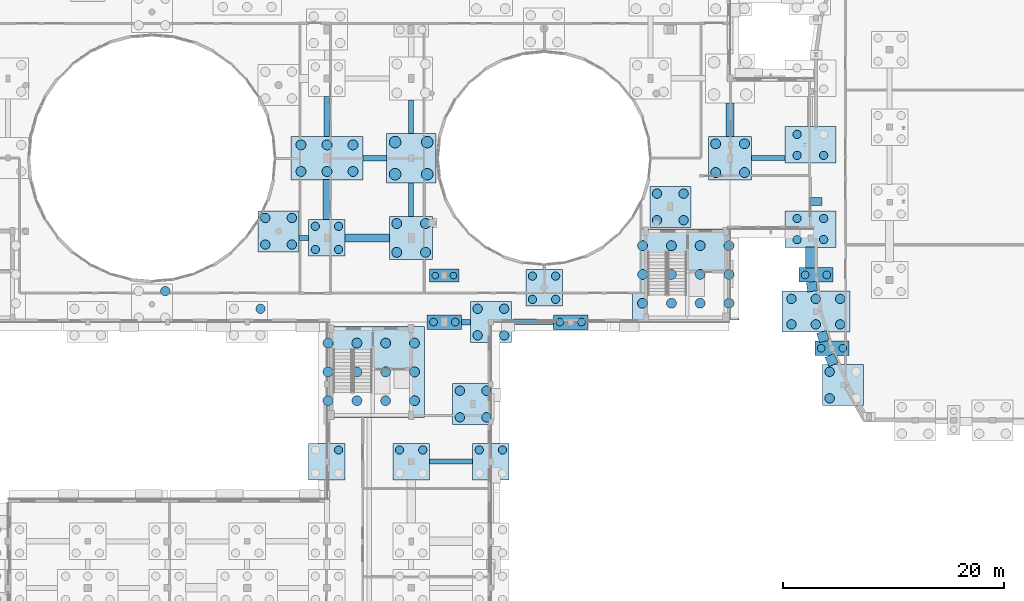
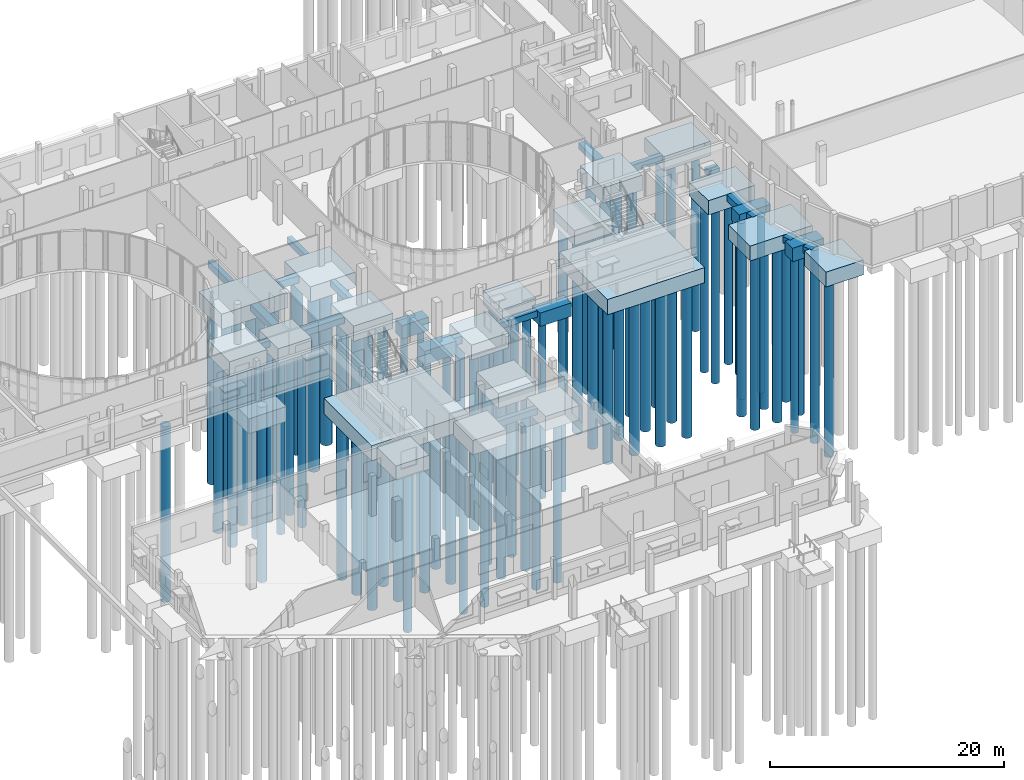
# One storey, part 5 of 93: 98 piles, 41 footings.
"""IFC4 building model written with IfcOpenShell, lengths in metres."""

from ifc_helpers import new_model, si_unit, direction, frame, origin, origin_2d, place, context, subcontext, project, spatial, rectangle, circle, extrude, material, material_profile, profile_set, type_object, element, save


model = new_model("IFC4")

# Units and contexts
model_context = context("Model", 3, precision=1e-05, world=origin(), true_north=direction((0.0, 1.0)))
body_context = subcontext(model_context, "Body", "Model", "MODEL_VIEW")
ifc_project = project(units=[si_unit("LENGTHUNIT", "METRE"), si_unit("AREAUNIT", "SQUARE_METRE"), si_unit("VOLUMEUNIT", "CUBIC_METRE"), si_unit("PLANEANGLEUNIT", "RADIAN"), si_unit("MASSUNIT", "GRAM", prefix="KILO")], contexts=[model_context])

# Site, building, storey
site_placement = place(None, origin())
site = spatial("IfcSite", under=ifc_project, at=site_placement, CompositionType="ELEMENT")
building_placement = place(site_placement, origin())
building = spatial("IfcBuilding", under=site, at=building_placement, Name="Kelanivale Promenade Academy", CompositionType="ELEMENT")
storey_placement = place(building_placement, origin())
storey = spatial("IfcBuildingStorey", under=building, at=storey_placement, Name="L00", CompositionType="ELEMENT", Elevation=0.0)

# Piles
ifc_material = material(Name="Concrete C35/45", Category="concrete")
ifc_material_profile_1 = material_profile(ifc_material, circle(Radius=0.300048828125, at=origin_2d()), Name="BORED PILE D600")
ifc_profile_set_1 = profile_set([ifc_material_profile_1], Name="Concrete C35/45")
pile_type_1 = type_object("IfcPileType", Name="BP-1 BORED PILE D600", PredefinedType="BORED", material=ifc_profile_set_1)
for number, where, z_axis, x_axis, name in (
    (1, (88.97998046875, 46.199951171875, -1.5), (0.0, 0.0, -1.0), (1.0, 0.0, 0.0), "Bored pile FC-109-BP1-P01"),
    (2, (90.6201171875, 46.199951171875, -1.5), (0.0, 0.0, -1.0), (1.0, 0.0, 0.0), "Bored pile FC-109-BP1-P02"),
):
    element("IfcPile", number, at=place(storey_placement, frame(where, z_axis=z_axis, x_axis=x_axis)), inside=storey, type_object=pile_type_1, Name=name, PredefinedType="BORED", context=body_context, shape_type="SweptSolid", body=[
        extrude(circle(Radius=0.300048828125, at=origin_2d()), origin(), (0.0, 0.0, 1.0), 18.5),
    ])
ifc_material_profile_2 = material_profile(ifc_material, circle(Radius=0.35009765625, at=origin_2d()), Name="BORED PILE D700")
ifc_profile_set_2 = profile_set([ifc_material_profile_2], Name="Concrete C35/45")
pile_type_2 = type_object("IfcPileType", Name="BP-2 BORED PILE D700", PredefinedType="BORED", material=ifc_profile_set_2)
for number, where, z_axis, x_axis, name in (
    (3, (88.820068359375, 42.0, -1.5), (0.0, 0.0, -1.0), (1.0, 0.0, 0.0), "Bored pile FC-108-BP2-P01"),
    (4, (90.780029296875, 42.0, -1.5), (0.0, 0.0, -1.0), (1.0, 0.0, 0.0), "Bored pile FC-108-BP2-P02"),
    (5, (100.219970703125, 42.0, -1.5), (0.0, 0.0, -1.0), (1.0, 0.0, 0.0), "Bored pile FC-125-BP2-P01"),
    (6, (102.179931640625, 42.0, -1.5), (0.0, 0.0, -1.0), (1.0, 0.0, 0.0), "Bored pile FC-125-BP2-P02"),
):
    element("IfcPile", number, at=place(storey_placement, frame(where, z_axis=z_axis, x_axis=x_axis)), inside=storey, type_object=pile_type_2, Name=name, PredefinedType="BORED", context=body_context, shape_type="SweptSolid", body=[
        extrude(circle(Radius=0.35009765625, at=origin_2d()), origin(), (0.0, 0.0, 1.0), 18.5),
    ])
for number, where, z_axis, x_axis, name in (
    (7, (122.3701171875, 46.257080078125, -1.550048828125), (0.0, 0.0, -1.0), (1.0, 0.0, 0.0), "Bored pile FC-145-BP2-P01"),
    (8, (124.330078125, 46.257080078125, -1.550048828125), (0.0, 0.0, -1.0), (1.0, 0.0, 0.0), "Bored pile FC-145-BP2-P02"),
    (9, (123.820068359375, 39.62890625, -1.550048828125), (0.0, 0.0, -1.0), (1.0, 0.0, 0.0), "Bored pile FC-146-BP2-P01"),
    (10, (125.780029296875, 39.62890625, -1.550048828125), (0.0, 0.0, -1.0), (1.0, 0.0, 0.0), "Bored pile FC-146-BP2-P02"),
):
    element("IfcPile", number, at=place(storey_placement, frame(where, z_axis=z_axis, x_axis=x_axis)), inside=storey, type_object=pile_type_2, Name=name, PredefinedType="BORED", context=body_context, shape_type="SweptSolid", body=[
        extrude(circle(Radius=0.35009765625, at=origin_2d()), origin(), (0.0, 0.0, 1.0), 18.449951171875),
    ])
ifc_material_profile_3 = material_profile(ifc_material, circle(Radius=0.375, at=origin_2d()), Name="BORED PILE D750")
ifc_profile_set_3 = profile_set([ifc_material_profile_3], Name="Concrete C35/45")
pile_type_3 = type_object("IfcPileType", Name="BP-3 BORED PILE D750", PredefinedType="BORED", material=ifc_profile_set_3)
for number, where, z_axis, x_axis, name in (
    (11, (121.64990234375, 49.449951171875, -1.64990234375), (0.0, 0.0, -1.0), (1.0, 0.0, 0.0), "Bored pile FC-MJ-E01-BP3-P01"),
    (12, (121.64990234375, 51.35009765625, -1.64990234375), (0.0, 0.0, -1.0), (1.0, 0.0, 0.0), "Bored pile FC-MJ-E01-BP3-P02"),
    (13, (124.050048828125, 49.449951171875, -1.64990234375), (0.0, 0.0, -1.0), (1.0, 0.0, 0.0), "Bored pile FC-MJ-E01-BP3-P03"),
    (14, (124.050048828125, 51.35009765625, -1.64990234375), (0.0, 0.0, -1.0), (1.0, 0.0, 0.0), "Bored pile FC-MJ-E01-BP3-P04"),
    (15, (121.64990234375, 57.050048828125, -1.64990234375), (0.0, 0.0, -1.0), (1.0, 0.0, 0.0), "Bored pile FC-MJ-E02-BP3-P01"),
    (16, (121.64990234375, 58.949951171875, -1.64990234375), (0.0, 0.0, -1.0), (1.0, 0.0, 0.0), "Bored pile FC-MJ-E02-BP3-P02"),
    (17, (124.050048828125, 57.050048828125, -1.64990234375), (0.0, 0.0, -1.0), (1.0, 0.0, 0.0), "Bored pile FC-MJ-E02-BP3-P03"),
):
    element("IfcPile", number, at=place(storey_placement, frame(where, z_axis=z_axis, x_axis=x_axis)), inside=storey, type_object=pile_type_3, Name=name, PredefinedType="BORED", context=body_context, shape_type="SweptSolid", body=[
        extrude(circle(Radius=0.375, at=origin_2d()), origin(), (0.0, 0.0, 1.0), 18.35009765625),
    ])
for number, where, z_axis, x_axis, name in (
    (18, (80.25, 30.449951171875, -1.60009765625), (0.0, 0.0, -1.0), (1.0, 0.0, 0.0), "Bored pile FC-093-BP3-P04"),
    (19, (78.14990234375, 48.550048828125, -1.60009765625), (0.0, 0.0, -1.0), (1.0, 0.0, 0.0), "Bored pile FC-094-BP3-P01"),
    (20, (78.14990234375, 50.64990234375, -1.60009765625), (0.0, 0.0, -1.0), (1.0, 0.0, 0.0), "Bored pile FC-094-BP3-P02"),
    (21, (80.25, 48.550048828125, -1.60009765625), (0.0, 0.0, -1.0), (1.0, 0.0, 0.0), "Bored pile FC-094-BP3-P03"),
    (22, (80.25, 50.64990234375, -1.60009765625), (0.0, 0.0, -1.0), (1.0, 0.0, 0.0), "Bored pile FC-094-BP3-P04"),
    (23, (85.75, 30.449951171875, -1.60009765625), (0.0, 0.0, -1.0), (1.0, 0.0, 0.0), "Bored pile FC-103-BP3-P02"),
    (24, (87.85009765625, 30.449951171875, -1.60009765625), (0.0, 0.0, -1.0), (1.0, 0.0, 0.0), "Bored pile FC-103-BP3-P04"),
    (25, (92.949951171875, 30.449951171875, -1.60009765625), (0.0, 0.0, -1.0), (1.0, 0.0, 0.0), "Bored pile FC-116-BP3-P02"),
    (26, (95.050048828125, 30.449951171875, -1.60009765625), (0.0, 0.0, -1.0), (1.0, 0.0, 0.0), "Bored pile FC-116-BP3-P04"),
    (27, (97.75, 44.050048828125, -1.60009765625), (0.0, 0.0, -1.0), (1.0, 0.0, 0.0), "Bored pile FC-120-BP3-P01"),
    (28, (97.75, 46.14990234375, -1.60009765625), (0.0, 0.0, -1.0), (1.0, 0.0, 0.0), "Bored pile FC-120-BP3-P02"),
    (29, (99.85009765625, 44.050048828125, -1.60009765625), (0.0, 0.0, -1.0), (1.0, 0.0, 0.0), "Bored pile FC-120-BP3-P03"),
    (30, (99.85009765625, 46.14990234375, -1.60009765625), (0.0, 0.0, -1.0), (1.0, 0.0, 0.0), "Bored pile FC-120-BP3-P04"),
):
    element("IfcPile", number, at=place(storey_placement, frame(where, z_axis=z_axis, x_axis=x_axis)), inside=storey, type_object=pile_type_3, Name=name, PredefinedType="BORED", context=body_context, shape_type="SweptSolid", body=[
        extrude(circle(Radius=0.375, at=origin_2d()), origin(), (0.0, 0.0, 1.0), 18.39990234375),
    ])
ifc_material_profile_4 = material_profile(ifc_material, circle(Radius=0.425048828125, at=origin_2d()), Name="BORED PILE D850")
ifc_profile_set_4 = profile_set([ifc_material_profile_4], Name="Concrete C35/45")
pile_type_4 = type_object("IfcPileType", Name="BP-4 BORED PILE D850", PredefinedType="BORED", material=ifc_profile_set_4)
for number, where, z_axis, x_axis, name in (
    (31, (64.60009765625, 44.800048828125, -1.64990234375), (0.0, 0.0, -1.0), (1.0, 0.0, 0.0), "Bored pile FC-069-BP4-P04"),
    (32, (73.199951171875, 43.199951171875, -1.64990234375), (0.0, 0.0, -1.0), (1.0, 0.0, 0.0), "Bored pile FC-083-BP4-P04"),
    (33, (73.632080078125, 49.0, -1.64990234375), (0.0, 0.0, -1.0), (1.0, 0.0, 0.0), "Bored pile FC-086-BP4-P01"),
    (34, (73.632080078125, 51.39990234375, -1.64990234375), (0.0, 0.0, -1.0), (1.0, 0.0, 0.0), "Bored pile FC-086-BP4-P02"),
    (35, (76.031982421875, 49.0, -1.64990234375), (0.0, 0.0, -1.0), (1.0, 0.0, 0.0), "Bored pile FC-086-BP4-P03"),
    (36, (76.031982421875, 51.39990234375, -1.64990234375), (0.0, 0.0, -1.0), (1.0, 0.0, 0.0), "Bored pile FC-086-BP4-P04"),
    (37, (91.199951171875, 33.39990234375, -1.64990234375), (0.0, 0.0, -1.0), (1.0, 0.0, 0.0), "Bored pile FC-110-BP4-P01"),
    (38, (91.199951171875, 35.800048828125, -1.64990234375), (0.0, 0.0, -1.0), (1.0, 0.0, 0.0), "Bored pile FC-110-BP4-P02"),
    (39, (93.60009765625, 33.39990234375, -1.64990234375), (0.0, 0.0, -1.0), (1.0, 0.0, 0.0), "Bored pile FC-110-BP4-P03"),
    (40, (93.60009765625, 35.800048828125, -1.64990234375), (0.0, 0.0, -1.0), (1.0, 0.0, 0.0), "Bored pile FC-110-BP4-P04"),
    (41, (92.800048828125, 40.800048828125, -1.64990234375), (0.0, 0.0, -1.0), (1.0, 0.0, 0.0), "Bored pile FC-117-BP4-P01"),
    (42, (92.800048828125, 43.199951171875, -1.64990234375), (0.0, 0.0, -1.0), (1.0, 0.0, 0.0), "Bored pile FC-117-BP4-P02"),
    (43, (95.199951171875, 40.800048828125, -1.64990234375), (0.0, 0.0, -1.0), (1.0, 0.0, 0.0), "Bored pile FC-117-BP4-P03"),
    (44, (95.199951171875, 43.199951171875, -1.64990234375), (0.0, 0.0, -1.0), (1.0, 0.0, 0.0), "Bored pile FC-117-BP4-P04"),
    (45, (109.0, 51.199951171875, -1.64990234375), (0.0, 0.0, -1.0), (1.0, 0.0, 0.0), "Bored pile FC-133-BP4-P01"),
    (46, (109.0, 53.60009765625, -1.64990234375), (0.0, 0.0, -1.0), (1.0, 0.0, 0.0), "Bored pile FC-133-BP4-P02"),
    (47, (111.39990234375, 51.199951171875, -1.64990234375), (0.0, 0.0, -1.0), (1.0, 0.0, 0.0), "Bored pile FC-133-BP4-P03"),
    (48, (111.39990234375, 53.60009765625, -1.64990234375), (0.0, 0.0, -1.0), (1.0, 0.0, 0.0), "Bored pile FC-133-BP4-P04"),
):
    element("IfcPile", number, at=place(storey_placement, frame(where, z_axis=z_axis, x_axis=x_axis)), inside=storey, type_object=pile_type_4, Name=name, PredefinedType="BORED", context=body_context, shape_type="SweptSolid", body=[
        extrude(circle(Radius=0.425048828125, at=origin_2d()), origin(), (0.0, 0.0, 1.0), 18.35009765625),
    ])
for number, where, z_axis, x_axis, name in (
    (49, (121.139892578125, 41.79296875, -1.699951171875), (0.0, 0.0, -1.0), (1.0, 0.0, 0.0), "Bored pile FC-144-BP4-P01"),
    (50, (123.340087890625, 41.79296875, -1.699951171875), (0.0, 0.0, -1.0), (1.0, 0.0, 0.0), "Bored pile FC-144-BP4-P02"),
    (51, (125.5400390625, 41.79296875, -1.699951171875), (0.0, 0.0, -1.0), (1.0, 0.0, 0.0), "Bored pile FC-144-BP4-P03"),
    (52, (121.139892578125, 44.093017578125, -1.699951171875), (0.0, 0.0, -1.0), (1.0, 0.0, 0.0), "Bored pile FC-144-BP4-P04"),
    (53, (123.340087890625, 44.093017578125, -1.699951171875), (0.0, 0.0, -1.0), (1.0, 0.0, 0.0), "Bored pile FC-144-BP4-P05"),
    (54, (125.5400390625, 44.093017578125, -1.699951171875), (0.0, 0.0, -1.0), (1.0, 0.0, 0.0), "Bored pile FC-144-BP4-P06"),
    (55, (124.590087890625, 35.114013671875, -1.699951171875), (0.0, 0.0, -1.0), (1.0, 0.0, 0.0), "Bored pile FC-147-BP4-P01"),
    (56, (124.590087890625, 37.513916015625, -1.699951171875), (0.0, 0.0, -1.0), (1.0, 0.0, 0.0), "Bored pile FC-147-BP4-P02"),
):
    element("IfcPile", number, at=place(storey_placement, frame(where, z_axis=z_axis, x_axis=x_axis)), inside=storey, type_object=pile_type_4, Name=name, PredefinedType="BORED", context=body_context, shape_type="SweptSolid", body=[
        extrude(circle(Radius=0.425048828125, at=origin_2d()), origin(), (0.0, 0.0, 1.0), 18.300048828125),
    ])
ifc_material_profile_5 = material_profile(ifc_material, circle(Radius=0.449951171875, at=origin_2d()), Name="BORED PILE D900")
ifc_profile_set_5 = profile_set([ifc_material_profile_5], Name="Concrete C35/45")
pile_type_5 = type_object("IfcPileType", Name="BP-5 BORED PILE D900", PredefinedType="BORED", material=ifc_profile_set_5)
for number, where, z_axis, x_axis, name in (
    (57, (79.300048828125, 34.89990234375, -3.300048828125), (0.0, 0.0, -1.0), (1.0, 0.0, 0.0), "Bored pile FC-CORE-01-BP5-P01"),
    (58, (79.300048828125, 37.5, -3.300048828125), (0.0, 0.0, -1.0), (1.0, 0.0, 0.0), "Bored pile FC-CORE-01-BP5-P02"),
    (59, (79.300048828125, 40.10009765625, -3.300048828125), (0.0, 0.0, -1.0), (1.0, 0.0, 0.0), "Bored pile FC-CORE-01-BP5-P03"),
    (60, (81.89990234375, 34.89990234375, -3.300048828125), (0.0, 0.0, -1.0), (1.0, 0.0, 0.0), "Bored pile FC-CORE-01-BP5-P04"),
    (61, (81.89990234375, 37.5, -3.300048828125), (0.0, 0.0, -1.0), (1.0, 0.0, 0.0), "Bored pile FC-CORE-01-BP5-P05"),
    (62, (81.89990234375, 40.10009765625, -3.300048828125), (0.0, 0.0, -1.0), (1.0, 0.0, 0.0), "Bored pile FC-CORE-01-BP5-P06"),
    (63, (84.5, 34.89990234375, -3.300048828125), (0.0, 0.0, -1.0), (1.0, 0.0, 0.0), "Bored pile FC-CORE-01-BP5-P07"),
    (64, (84.5, 37.5, -3.300048828125), (0.0, 0.0, -1.0), (1.0, 0.0, 0.0), "Bored pile FC-CORE-01-BP5-P08"),
    (65, (84.5, 40.10009765625, -3.300048828125), (0.0, 0.0, -1.0), (1.0, 0.0, 0.0), "Bored pile FC-CORE-01-BP5-P09"),
    (66, (87.10009765625, 34.89990234375, -3.300048828125), (0.0, 0.0, -1.0), (1.0, 0.0, 0.0), "Bored pile FC-CORE-01-BP5-P10"),
    (67, (87.10009765625, 37.5, -3.300048828125), (0.0, 0.0, -1.0), (1.0, 0.0, 0.0), "Bored pile FC-CORE-01-BP5-P11"),
    (68, (87.10009765625, 40.10009765625, -3.300048828125), (0.0, 0.0, -1.0), (1.0, 0.0, 0.0), "Bored pile FC-CORE-01-BP5-P12"),
    (69, (107.699951171875, 43.699951171875, -3.300048828125), (0.0, 0.0, -1.0), (1.0, 0.0, 0.0), "Bored pile FC-CORE-03-BP5-P01"),
    (70, (107.699951171875, 46.300048828125, -3.300048828125), (0.0, 0.0, -1.0), (1.0, 0.0, 0.0), "Bored pile FC-CORE-03-BP5-P02"),
    (71, (107.699951171875, 48.89990234375, -3.300048828125), (0.0, 0.0, -1.0), (1.0, 0.0, 0.0), "Bored pile FC-CORE-03-BP5-P03"),
    (72, (110.300048828125, 43.699951171875, -3.300048828125), (0.0, 0.0, -1.0), (1.0, 0.0, 0.0), "Bored pile FC-CORE-03-BP5-P04"),
    (73, (110.300048828125, 46.300048828125, -3.300048828125), (0.0, 0.0, -1.0), (1.0, 0.0, 0.0), "Bored pile FC-CORE-03-BP5-P05"),
    (74, (110.300048828125, 48.89990234375, -3.300048828125), (0.0, 0.0, -1.0), (1.0, 0.0, 0.0), "Bored pile FC-CORE-03-BP5-P06"),
    (75, (112.89990234375, 43.699951171875, -3.300048828125), (0.0, 0.0, -1.0), (1.0, 0.0, 0.0), "Bored pile FC-CORE-03-BP5-P07"),
    (76, (112.89990234375, 46.300048828125, -3.300048828125), (0.0, 0.0, -1.0), (1.0, 0.0, 0.0), "Bored pile FC-CORE-03-BP5-P08"),
    (77, (112.89990234375, 48.89990234375, -3.300048828125), (0.0, 0.0, -1.0), (1.0, 0.0, 0.0), "Bored pile FC-CORE-03-BP5-P09"),
    (78, (115.5, 43.699951171875, -3.300048828125), (0.0, 0.0, -1.0), (1.0, 0.0, 0.0), "Bored pile FC-CORE-03-BP5-P10"),
    (79, (115.5, 46.300048828125, -3.300048828125), (0.0, 0.0, -1.0), (1.0, 0.0, 0.0), "Bored pile FC-CORE-03-BP5-P11"),
    (80, (115.5, 48.89990234375, -3.300048828125), (0.0, 0.0, -1.0), (1.0, 0.0, 0.0), "Bored pile FC-CORE-03-BP5-P12"),
):
    element("IfcPile", number, at=place(storey_placement, frame(where, z_axis=z_axis, x_axis=x_axis)), inside=storey, type_object=pile_type_5, Name=name, PredefinedType="BORED", context=body_context, shape_type="SweptSolid", body=[
        extrude(circle(Radius=0.449951171875, at=origin_2d()), origin(), (0.0, 0.0, 1.0), 16.699951171875),
    ])
for number, where, z_axis, x_axis, name in (
    (81, (76.85009765625, 55.60009765625, -1.699951171875), (0.0, 0.0, -1.0), (1.0, 0.0, 0.0), "Bored pile FC-095-BP5-P01"),
    (82, (79.199951171875, 55.60009765625, -1.699951171875), (0.0, 0.0, -1.0), (1.0, 0.0, 0.0), "Bored pile FC-095-BP5-P02"),
    (83, (81.550048828125, 55.60009765625, -1.699951171875), (0.0, 0.0, -1.0), (1.0, 0.0, 0.0), "Bored pile FC-095-BP5-P03"),
    (84, (76.85009765625, 58.0, -1.699951171875), (0.0, 0.0, -1.0), (1.0, 0.0, 0.0), "Bored pile FC-095-BP5-P04"),
    (85, (79.199951171875, 58.0, -1.699951171875), (0.0, 0.0, -1.0), (1.0, 0.0, 0.0), "Bored pile FC-095-BP5-P05"),
    (86, (81.550048828125, 58.0, -1.699951171875), (0.0, 0.0, -1.0), (1.0, 0.0, 0.0), "Bored pile FC-095-BP5-P06"),
    (87, (85.5, 48.300048828125, -1.699951171875), (0.0, 0.0, -1.0), (1.0, 0.0, 0.0), "Bored pile FC-104-BP5-P01"),
    (88, (85.5, 50.89990234375, -1.699951171875), (0.0, 0.0, -1.0), (1.0, 0.0, 0.0), "Bored pile FC-104-BP5-P02"),
    (89, (88.10009765625, 48.300048828125, -1.699951171875), (0.0, 0.0, -1.0), (1.0, 0.0, 0.0), "Bored pile FC-104-BP5-P03"),
    (90, (88.10009765625, 50.89990234375, -1.699951171875), (0.0, 0.0, -1.0), (1.0, 0.0, 0.0), "Bored pile FC-104-BP5-P04"),
    (91, (114.300048828125, 55.5, -1.699951171875), (0.0, 0.0, -1.0), (1.0, 0.0, 0.0), "Bored pile FC-134-BP5-P01"),
    (92, (114.300048828125, 58.10009765625, -1.699951171875), (0.0, 0.0, -1.0), (1.0, 0.0, 0.0), "Bored pile FC-134-BP5-P02"),
    (93, (116.89990234375, 55.5, -1.699951171875), (0.0, 0.0, -1.0), (1.0, 0.0, 0.0), "Bored pile FC-134-BP5-P03"),
    (94, (116.89990234375, 58.10009765625, -1.699951171875), (0.0, 0.0, -1.0), (1.0, 0.0, 0.0), "Bored pile FC-134-BP5-P04"),
):
    element("IfcPile", number, at=place(storey_placement, frame(where, z_axis=z_axis, x_axis=x_axis)), inside=storey, type_object=pile_type_5, Name=name, PredefinedType="BORED", context=body_context, shape_type="SweptSolid", body=[
        extrude(circle(Radius=0.449951171875, at=origin_2d()), origin(), (0.0, 0.0, 1.0), 18.300048828125),
    ])
ifc_material_profile_6 = material_profile(ifc_material, circle(Radius=0.52490234375, at=origin_2d()), Name="BORED PILE D1050")
ifc_profile_set_6 = profile_set([ifc_material_profile_6], Name="Concrete C35/45")
pile_type_6 = type_object("IfcPileType", Name="BP-6 BORED PILE D1050", PredefinedType="BORED", material=ifc_profile_set_6)
for number, where, z_axis, x_axis, name in (
    (95, (85.35009765625, 55.35009765625, -1.699951171875), (0.0, 0.0, -1.0), (1.0, 0.0, 0.0), "Bored pile FC-105-BP6-P01"),
    (96, (85.35009765625, 58.25, -1.699951171875), (0.0, 0.0, -1.0), (1.0, 0.0, 0.0), "Bored pile FC-105-BP6-P02"),
    (97, (88.25, 55.35009765625, -1.699951171875), (0.0, 0.0, -1.0), (1.0, 0.0, 0.0), "Bored pile FC-105-BP6-P03"),
    (98, (88.25, 58.25, -1.699951171875), (0.0, 0.0, -1.0), (1.0, 0.0, 0.0), "Bored pile FC-105-BP6-P04"),
):
    element("IfcPile", number, at=place(storey_placement, frame(where, z_axis=z_axis, x_axis=x_axis)), inside=storey, type_object=pile_type_6, Name=name, PredefinedType="BORED", context=body_context, shape_type="SweptSolid", body=[
        extrude(circle(Radius=0.52490234375, at=origin_2d()), origin(), (0.0, 0.0, 1.0), 18.300048828125),
    ])

# Footings
footing_type_1 = type_object("IfcFootingType", Name="GB-01 450x650", PredefinedType="FOOTING_BEAM", material=ifc_material)
footing_1_placement = place(storey_placement, frame((90.39990234375, 29.39990234375, -0.89990234375), z_axis=(0.0, 0.0, 1.0), x_axis=(1.0, 0.0, 0.0)))
element("IfcFooting", 99, at=footing_1_placement, inside=storey, type_object=footing_type_1, Name="Ground beam GB-071", PredefinedType="FOOTING_BEAM", context=body_context, shape_type="SweptSolid", body=[
    extrude(rectangle(XDim=3.909912109375, YDim=0.449951171875, at=origin_2d()), origin(), (0.0, 0.0, 1.0), 0.64990234375),
])
footing_2_placement = place(storey_placement, frame((97.75, 42.0, -0.89990234375), z_axis=(0.0, 0.0, 1.0), x_axis=(1.0, 0.0, 0.0)))
element("IfcFooting", 100, at=footing_2_placement, inside=storey, type_object=footing_type_1, Name="Ground beam GB-082", PredefinedType="FOOTING_BEAM", context=body_context, shape_type="SweptSolid", body=[
    extrude(rectangle(XDim=3.81005859375, YDim=0.449951171875, at=origin_2d()), origin(), (0.0, 0.0, 1.0), 0.64990234375),
])
footing_3_placement = place(storey_placement, frame((77.115966796875, 49.60009765625, -0.89990234375), z_axis=(0.0, 0.0, 1.0), x_axis=(1.0, 0.0, 0.0)))
element("IfcFooting", 101, at=footing_3_placement, inside=storey, type_object=footing_type_1, Name="Ground beam GB-083", PredefinedType="FOOTING_BEAM", context=body_context, shape_type="SweptSolid", body=[
    extrude(rectangle(XDim=0.8779296875, YDim=0.449951171875, at=origin_2d()), origin(), (0.0, 0.0, 1.0), 0.64990234375),
])
footing_4_placement = place(storey_placement, frame((119.050048828125, 56.800048828125, -0.949951171875), z_axis=(0.0, 0.0, 1.0), x_axis=(1.0, 0.0, 0.0)))
element("IfcFooting", 102, at=footing_4_placement, inside=storey, type_object=footing_type_1, Name="Ground beam GB-088", PredefinedType="FOOTING_BEAM", context=body_context, shape_type="SweptSolid", body=[
    extrude(rectangle(XDim=3.010009765625, YDim=0.449951171875, at=origin_2d()), origin(), (0.0, 0.0, 1.0), 0.64990234375),
])
for number, where, z_axis, x_axis, name in (
    (103, (86.800048828125, 53.06201171875, -0.89990234375), (0.0, 0.0, 1.0), (0.0, 1.0, 0.0), "Ground beam GB-169"),
    (104, (86.800048828125, 60.537109375, -0.89990234375), (0.0, 0.0, 1.0), (0.0, 1.0, 0.0), "Ground beam GB-170"),
):
    element("IfcFooting", number, at=place(storey_placement, frame(where, z_axis=z_axis, x_axis=x_axis)), inside=storey, type_object=footing_type_1, Name=name, PredefinedType="FOOTING_BEAM", context=body_context, shape_type="SweptSolid", body=[
        extrude(rectangle(XDim=3.034912109375, YDim=0.449951171875, at=origin_2d()), origin(), (0.0, 0.0, 1.0), 0.64990234375),
    ])
footing_type_2 = type_object("IfcFootingType", Name="GB-02 500x750", PredefinedType="FOOTING_BEAM", material=ifc_material)
footing_5_placement = place(storey_placement, frame((91.75, 42.0, -1.0), z_axis=(0.0, 0.0, 1.0), x_axis=(1.0, 0.0, 0.0)))
element("IfcFooting", 105, at=footing_5_placement, inside=storey, type_object=footing_type_2, Name="Ground beam GB-081", PredefinedType="FOOTING_BEAM", context=body_context, shape_type="SweptSolid", body=[
    extrude(rectangle(XDim=0.81005859375, YDim=0.5, at=origin_2d()), origin(), (0.0, 0.0, 1.0), 0.75),
])
footing_6_placement = place(storey_placement, frame((83.512939453125, 56.800048828125, -1.0), z_axis=(0.0, 0.0, 1.0), x_axis=(1.0, 0.0, 0.0)))
element("IfcFooting", 106, at=footing_6_placement, inside=storey, type_object=footing_type_2, Name="Ground beam GB-087", PredefinedType="FOOTING_BEAM", context=body_context, shape_type="SweptSolid", body=[
    extrude(rectangle(XDim=2.135009765625, YDim=0.5, at=origin_2d()), origin(), (0.0, 0.0, 1.0), 0.75),
])
footing_7_placement = place(storey_placement, frame((79.199951171875, 60.550048828125, -1.0), z_axis=(0.0, 0.0, 1.0), x_axis=(0.0, 1.0, 0.0)))
element("IfcFooting", 107, at=footing_7_placement, inside=storey, type_object=footing_type_2, Name="Ground beam GB-162", PredefinedType="FOOTING_BEAM", context=body_context, shape_type="SweptSolid", body=[
    extrude(rectangle(XDim=3.610107421875, YDim=0.5, at=origin_2d()), origin(), (0.0, 0.0, 1.0), 0.75),
])
footing_type_3 = type_object("IfcFootingType", Name="PC-01 Pile Cap 2650x1150x1400", PredefinedType="PILE_CAP", material=ifc_material)
footing_8_placement = place(storey_placement, frame((89.800048828125, 46.199951171875, -1.64990234375), z_axis=(0.0, 0.0, 1.0), x_axis=(1.0, 0.0, 0.0)))
element("IfcFooting", 108, at=footing_8_placement, inside=storey, type_object=footing_type_3, Name="Pile cap FC-109", PredefinedType="PILE_CAP", context=body_context, shape_type="SweptSolid", body=[
    extrude(rectangle(XDim=2.64990234375, YDim=1.14990234375, at=origin_2d()), origin(), (0.0, 0.0, 1.0), 1.39990234375),
])
footing_type_4 = type_object("IfcFootingType", Name="PC-03 Pile Cap 3100x1300x1400", PredefinedType="PILE_CAP", material=ifc_material)
for number, where, z_axis, x_axis, name in (
    (109, (89.800048828125, 42.0, -1.64990234375), (0.0, 0.0, 1.0), (1.0, 0.0, 0.0), "Pile cap FC-108"),
    (110, (101.199951171875, 42.0, -1.64990234375), (0.0, 0.0, 1.0), (1.0, 0.0, 0.0), "Pile cap FC-125"),
    (111, (123.35009765625, 46.257080078125, -1.699951171875), (0.0, 0.0, 1.0), (1.0, 0.0, 0.0), "Pile cap FC-145"),
    (112, (124.800048828125, 39.62890625, -1.699951171875), (0.0, 0.0, 1.0), (1.0, 0.0, 0.0), "Pile cap FC-146"),
):
    element("IfcFooting", number, at=place(storey_placement, frame(where, z_axis=z_axis, x_axis=x_axis)), inside=storey, type_object=footing_type_4, Name=name, PredefinedType="PILE_CAP", context=body_context, shape_type="SweptSolid", body=[
        extrude(rectangle(XDim=3.10009765625, YDim=1.300048828125, at=origin_2d()), origin(), (0.0, 0.0, 1.0), 1.39990234375),
    ])
footing_type_5 = type_object("IfcFootingType", Name="PC-05 Pile Cap 3300x3300x1500", PredefinedType="PILE_CAP", material=ifc_material)
for number, where, z_axis, x_axis, name in (
    (113, (79.199951171875, 29.39990234375, -1.75), (0.0, 0.0, 1.0), (1.0, 0.0, 0.0), "Pile cap FC-093"),
    (114, (79.199951171875, 49.60009765625, -1.75), (0.0, 0.0, 1.0), (1.0, 0.0, 0.0), "Pile cap FC-094"),
    (115, (86.800048828125, 29.39990234375, -1.75), (0.0, 0.0, 1.0), (1.0, 0.0, 0.0), "Pile cap FC-103"),
    (116, (94.0, 29.39990234375, -1.75), (0.0, 0.0, 1.0), (1.0, 0.0, 0.0), "Pile cap FC-116"),
    (117, (98.800048828125, 45.10009765625, -1.75), (0.0, 0.0, 1.0), (1.0, 0.0, 0.0), "Pile cap FC-120"),
):
    element("IfcFooting", number, at=place(storey_placement, frame(where, z_axis=z_axis, x_axis=x_axis)), inside=storey, type_object=footing_type_5, Name=name, PredefinedType="PILE_CAP", context=body_context, shape_type="SweptSolid", body=[
        extrude(rectangle(XDim=3.300048828125, YDim=3.300048828125, at=origin_2d()), origin(), (0.0, 0.0, 1.0), 1.5),
    ])
footing_type_6 = type_object("IfcFootingType", Name="PC-07 Pile Cap 3700x3700x1550", PredefinedType="PILE_CAP", material=ifc_material)
for number, where, z_axis, x_axis, name in (
    (118, (74.83203125, 50.199951171875, -1.7998046875), (0.0, 0.0, 1.0), (1.0, 0.0, 0.0), "Pile cap FC-086"),
    (119, (92.39990234375, 34.60009765625, -1.7998046875), (0.0, 0.0, 1.0), (1.0, 0.0, 0.0), "Pile cap FC-110"),
    (120, (94.0, 42.0, -1.7998046875), (0.0, 0.0, 1.0), (1.0, 0.0, 0.0), "Pile cap FC-117"),
    (121, (110.199951171875, 52.39990234375, -1.7998046875), (0.0, 0.0, 1.0), (1.0, 0.0, 0.0), "Pile cap FC-133"),
    (122, (125.7900390625, 36.31396484375, -1.85009765625), (0.0, 0.0, 1.0), (1.0, 0.0, 0.0), "Pile cap FC-147"),
):
    element("IfcFooting", number, at=place(storey_placement, frame(where, z_axis=z_axis, x_axis=x_axis)), inside=storey, type_object=footing_type_6, Name=name, PredefinedType="PILE_CAP", context=body_context, shape_type="SweptSolid", body=[
        extrude(rectangle(XDim=3.699951171875, YDim=3.699951171875, at=origin_2d()), origin(), (0.0, 0.0, 1.0), 1.550048828125),
    ])
footing_type_7 = type_object("IfcFootingType", Name="PC-08 Pile Cap 6150x3700x1550", PredefinedType="PILE_CAP", material=ifc_material)
footing_9_placement = place(storey_placement, frame((123.340087890625, 42.943115234375, -1.85009765625), z_axis=(0.0, 0.0, 1.0), x_axis=(1.0, 0.0, 0.0)))
element("IfcFooting", 123, at=footing_9_placement, inside=storey, type_object=footing_type_7, Name="Pile cap FC-144", PredefinedType="PILE_CAP", context=body_context, shape_type="SweptSolid", body=[
    extrude(rectangle(XDim=6.14990234375, YDim=3.699951171875, at=origin_2d()), origin(), (0.0, 0.0, 1.0), 1.550048828125),
])
footing_type_8 = type_object("IfcFootingType", Name="PC-09 Pile Cap 3900x3900x1600", PredefinedType="PILE_CAP", material=ifc_material)
for number, where, z_axis, x_axis, name in (
    (124, (86.800048828125, 49.60009765625, -1.85009765625), (0.0, 0.0, 1.0), (1.0, 0.0, 0.0), "Pile cap FC-104"),
    (125, (115.60009765625, 56.800048828125, -1.85009765625), (0.0, 0.0, 1.0), (1.0, 0.0, 0.0), "Pile cap FC-134"),
):
    element("IfcFooting", number, at=place(storey_placement, frame(where, z_axis=z_axis, x_axis=x_axis)), inside=storey, type_object=footing_type_8, Name=name, PredefinedType="PILE_CAP", context=body_context, shape_type="SweptSolid", body=[
        extrude(rectangle(XDim=3.89990234375, YDim=3.89990234375, at=origin_2d()), origin(), (0.0, 0.0, 1.0), 1.60009765625),
    ])
footing_type_9 = type_object("IfcFootingType", Name="PC-10 Pile Cap 6500x3900x1600", PredefinedType="PILE_CAP", material=ifc_material)
footing_10_placement = place(storey_placement, frame((79.199951171875, 56.800048828125, -1.85009765625), z_axis=(0.0, 0.0, 1.0), x_axis=(1.0, 0.0, 0.0)))
element("IfcFooting", 126, at=footing_10_placement, inside=storey, type_object=footing_type_9, Name="Pile cap FC-095", PredefinedType="PILE_CAP", context=body_context, shape_type="SweptSolid", body=[
    extrude(rectangle(XDim=6.5, YDim=3.89990234375, at=origin_2d()), origin(), (0.0, 0.0, 1.0), 1.60009765625),
])
footing_type_10 = type_object("IfcFootingType", Name="PC-11 Pile Cap 4450x4450x1600", PredefinedType="PILE_CAP", material=ifc_material)
footing_11_placement = place(storey_placement, frame((86.800048828125, 56.800048828125, -1.85009765625), z_axis=(0.0, 0.0, 1.0), x_axis=(1.0, 0.0, 0.0)))
element("IfcFooting", 127, at=footing_11_placement, inside=storey, type_object=footing_type_10, Name="Pile cap FC-105", PredefinedType="PILE_CAP", context=body_context, shape_type="SweptSolid", body=[
    extrude(rectangle(XDim=4.449951171875, YDim=4.449951171875, at=origin_2d()), origin(), (0.0, 0.0, 1.0), 1.60009765625),
])
footing_type_11 = type_object("IfcFootingType", Name="PC-C1 Pile Cap 9600x8200x1600", PredefinedType="PILE_CAP", material=ifc_material)
for number, where, z_axis, x_axis, name in (
    (128, (83.199951171875, 37.5, -3.449951171875), (0.0, 0.0, 1.0), (1.0, 0.0, 0.0), "Pile cap FC-CORE-01"),
    (129, (111.60009765625, 46.300048828125, -3.449951171875), (0.0, 0.0, 1.0), (1.0, 0.0, 0.0), "Pile cap FC-CORE-03"),
):
    element("IfcFooting", number, at=place(storey_placement, frame(where, z_axis=z_axis, x_axis=x_axis)), inside=storey, type_object=footing_type_11, Name=name, PredefinedType="PILE_CAP", context=body_context, shape_type="SweptSolid", body=[
        extrude(rectangle(XDim=9.60009765625, YDim=8.199951171875, at=origin_2d()), origin(), (0.0, 0.0, 1.0), 1.60009765625),
    ])
footing_type_12 = type_object("IfcFootingType", Name="PC-J1 Pile Cap 4600x3300x1500", PredefinedType="PILE_CAP", material=ifc_material)
for number, where, z_axis, x_axis, name in (
    (130, (122.85009765625, 50.39990234375, -1.800048828125), (0.0, 0.0, 1.0), (1.0, 0.0, 0.0), "Pile cap FC-MJ-E01"),
    (131, (122.85009765625, 58.0, -1.800048828125), (0.0, 0.0, 1.0), (1.0, 0.0, 0.0), "Pile cap FC-MJ-E02"),
):
    element("IfcFooting", number, at=place(storey_placement, frame(where, z_axis=z_axis, x_axis=x_axis)), inside=storey, type_object=footing_type_12, Name=name, PredefinedType="PILE_CAP", context=body_context, shape_type="SweptSolid", body=[
        extrude(rectangle(XDim=4.60009765625, YDim=3.300048828125, at=origin_2d()), origin(), (0.0, 0.0, 1.0), 1.5),
    ])
footing_type_13 = type_object("IfcFootingType", Name="SF-01 750x650", PredefinedType="STRIP_FOOTING", material=ifc_material)
footing_12_placement = place(storey_placement, frame((123.35009765625, 52.885986328125, -0.949951171875), z_axis=(0.0, 0.0, 1.0), x_axis=(1.0, 0.0, 0.0)))
element("IfcFooting", 132, at=footing_12_placement, inside=storey, type_object=footing_type_13, Name="Column pad footing FPAD-018", PredefinedType="STRIP_FOOTING", context=body_context, shape_type="SweptSolid", body=[
    extrude(rectangle(XDim=1.10009765625, YDim=0.75, at=origin_2d()), origin(), (0.0, 0.0, 1.0), 0.64990234375),
])
footing_13_placement = place(storey_placement, frame((82.85009765625, 49.60009765625, -0.89990234375), z_axis=(0.0, 0.0, 1.0), x_axis=(1.0, 0.0, 0.0)))
element("IfcFooting", 133, at=footing_13_placement, inside=storey, type_object=footing_type_13, Name="Ground beam GB-084", PredefinedType="STRIP_FOOTING", context=body_context, shape_type="SweptSolid", body=[
    extrude(rectangle(XDim=4.010009765625, YDim=0.75, at=origin_2d()), origin(), (0.0, 0.0, 1.0), 0.64990234375),
])
footing_14_placement = place(storey_placement, frame((79.199951171875, 53.050048828125, -0.89990234375), z_axis=(0.0, 0.0, 1.0), x_axis=(0.0, 1.0, 0.0)))
element("IfcFooting", 134, at=footing_14_placement, inside=storey, type_object=footing_type_13, Name="Ground beam GB-161", PredefinedType="STRIP_FOOTING", context=body_context, shape_type="SweptSolid", body=[
    extrude(rectangle(XDim=3.610107421875, YDim=0.75, at=origin_2d()), origin(), (0.0, 0.0, 1.0), 0.64990234375),
])
footing_15_placement = place(storey_placement, frame((115.60009765625, 60.262939453125, -0.89990234375), z_axis=(0.0, 0.0, 1.0), x_axis=(0.0, 1.0, 0.0)))
element("IfcFooting", 135, at=footing_15_placement, inside=storey, type_object=footing_type_13, Name="Ground beam GB-182", PredefinedType="STRIP_FOOTING", context=body_context, shape_type="SweptSolid", body=[
    extrude(rectangle(XDim=3.034912109375, YDim=0.75, at=origin_2d()), origin(), (0.0, 0.0, 1.0), 0.64990234375),
])
footing_type_14 = type_object("IfcFootingType", Name="SF-02 900x700", PredefinedType="STRIP_FOOTING", material=ifc_material)
footing_16_placement = place(storey_placement, frame((124.761962890625, 38.572021484375, -1.0), z_axis=(0.0, 0.0, 1.0), x_axis=(-0.400748833103, 0.916187957117, 0.0)))
element("IfcFooting", 136, at=footing_16_placement, inside=storey, type_object=footing_type_14, Name="Curved ring foundation beam GB-019", PredefinedType="STRIP_FOOTING", context=body_context, shape_type="SweptSolid", body=[
    extrude(rectangle(XDim=0.919921875, YDim=0.89990234375, at=origin_2d()), origin(), (0.0, 0.0, 1.0), 0.699951171875),
])
footing_17_placement = place(storey_placement, frame((123.98095703125, 40.68603515625, -1.0), z_axis=(0.0, 0.0, 1.0), x_axis=(-0.288881417984, 0.95736488673, 0.0)))
element("IfcFooting", 137, at=footing_17_placement, inside=storey, type_object=footing_type_14, Name="Curved ring foundation beam GB-020", PredefinedType="STRIP_FOOTING", context=body_context, shape_type="SweptSolid", body=[
    extrude(rectangle(XDim=0.8798828125, YDim=0.89990234375, at=origin_2d()), origin(), (0.0, 0.0, 1.0), 0.699951171875),
])
footing_18_placement = place(storey_placement, frame((122.993896484375, 45.199951171875, -1.0), z_axis=(0.0, 0.0, 1.0), x_axis=(-0.134556928512, 0.990905864848, 0.0)))
element("IfcFooting", 138, at=footing_18_placement, inside=storey, type_object=footing_type_14, Name="Curved ring foundation beam GB-021", PredefinedType="STRIP_FOOTING", context=body_context, shape_type="SweptSolid", body=[
    extrude(rectangle(XDim=0.85107421875, YDim=0.89990234375, at=origin_2d()), origin(), (0.0, 0.0, 1.0), 0.699951171875),
])
footing_19_placement = place(storey_placement, frame((122.85009765625, 47.827880859375, -1.0), z_axis=(0.0, 0.0, 1.0), x_axis=(0.0, 1.0, 0.0)))
element("IfcFooting", 139, at=footing_19_placement, inside=storey, type_object=footing_type_14, Name="Curved ring foundation beam GB-022", PredefinedType="STRIP_FOOTING", context=body_context, shape_type="SweptSolid", body=[
    extrude(rectangle(XDim=1.873046875, YDim=0.89990234375, at=origin_2d()), origin(), (0.0, 0.0, 1.0), 0.699951171875),
])

save(model, "model.ifc")
